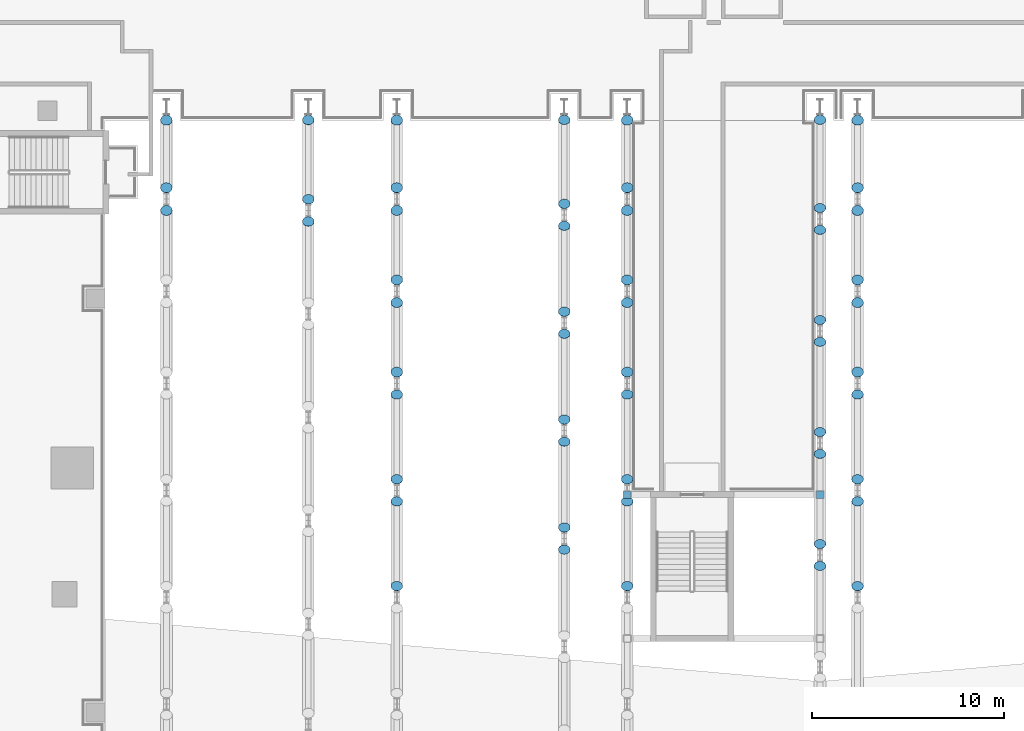
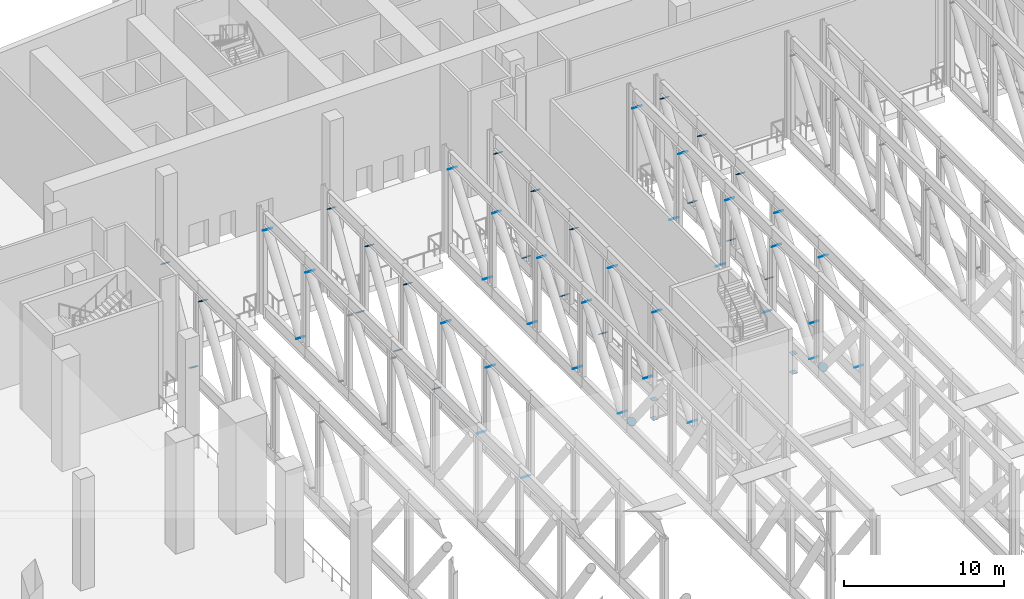
# One storey, part 18 of 33: 58 discrete accessories.
"""IFC4 building model written with IfcOpenShell, lengths in metres."""

from ifc_helpers import new_model, si_unit, direction, frame, origin, origin_2d, place, context, subcontext, project, spatial, rectangle, circle, extrude, material, material_profile, profile_set, type_object, element, save


model = new_model("IFC4")

# Units and contexts
model_context = context("Model", 3, precision=1e-05, world=origin(), true_north=direction((0.0, 1.0)))
body_context = subcontext(model_context, "Body", "Model", "MODEL_VIEW")
ifc_project = project(units=[si_unit("LENGTHUNIT", "METRE"), si_unit("AREAUNIT", "SQUARE_METRE"), si_unit("VOLUMEUNIT", "CUBIC_METRE"), si_unit("PLANEANGLEUNIT", "RADIAN"), si_unit("MASSUNIT", "GRAM", prefix="KILO")], contexts=[model_context])

# Site, building, storey
site_placement = place(None, origin())
site = spatial("IfcSite", under=ifc_project, at=site_placement, CompositionType="ELEMENT")
building_placement = place(site_placement, origin())
building = spatial("IfcBuilding", under=site, at=building_placement, Name="Wharfspan Tower", CompositionType="ELEMENT")
storey_placement = place(building_placement, frame((0.0, 0.0, 33.0)))
storey = spatial("IfcBuildingStorey", under=building, at=storey_placement, Name="L05", CompositionType="ELEMENT", Elevation=33.0)

# Discrete accessories
ifc_material = material(Name="Steel S460NH", Category="steel")
ifc_material_profile_1 = material_profile(ifc_material, circle(Radius=0.304932, at=origin_2d()))
ifc_profile_set_1 = profile_set([ifc_material_profile_1], Name="Steel S460NH")
discrete_accessory_type_1 = type_object("IfcDiscreteAccessoryType", Name="End plate CHS 610x30", PredefinedType="BRACKET", material=ifc_profile_set_1)
for number, where, z_axis, x_axis, name in (
    (1, (12.0, 20.512695, 6.944336), (0.0, -0.514496, -0.857493), (1.0, 0.0, 0.0), "End plate CHS 610x30"),
    (2, (12.0, 25.213867, 6.94751), (0.0, -0.532172, -0.846637), (1.0, 0.0, 0.0), "End plate CHS 610x30"),
    (3, (12.0, 21.694336, 1.160889), (0.0, -0.514496, -0.857493), (1.0, 0.0, 0.0), "End plate CHS 610x30"),
    (4, (19.391113, 19.937744, 6.925781), (0.0, -0.588172, -0.808736), (1.0, 0.0, 0.0), "End plate CHS 610x30"),
):
    element("IfcDiscreteAccessory", number, at=place(storey_placement, frame(where, z_axis=z_axis, x_axis=x_axis)), inside=storey, type_object=discrete_accessory_type_1, Name=name, PredefinedType="BRACKET", context=body_context, shape_type="SweptSolid", body=[
        extrude(circle(Radius=0.304932, at=origin_2d()), origin(), (0.0, 0.0, 1.0), 0.01001),
    ])
discrete_accessory_1_placement = place(storey_placement, frame((19.391113, 25.22583, 6.928711), z_axis=(0.0, -0.576683, -0.816968), x_axis=(1.0, 0.0, 0.0)))
element("IfcDiscreteAccessory", 5, at=discrete_accessory_1_placement, inside=storey, type_object=discrete_accessory_type_1, Name="End plate CHS 610x30", PredefinedType="BRACKET", context=body_context, shape_type="SweptSolid", body=[
    extrude(circle(Radius=0.304932, at=origin_2d()), origin(), (0.0, 0.0, 1.0), 0.010254),
])
for number, where, z_axis, x_axis, name in (
    (6, (19.391113, 21.096191, 1.179443), (0.0, -0.588172, -0.808736), (1.0, 0.0, 0.0), "End plate CHS 610x30"),
    (7, (24.0, 5.361328, 6.92041), (0.0, -0.615644, -0.788024), (1.0, 0.0, 0.0), "End plate CHS 610x30"),
    (8, (24.0, 0.944824, 1.1875), (0.0, -0.603858, -0.797092), (1.0, 0.0, 0.0), "End plate CHS 610x30"),
    (9, (24.0, 10.928223, 6.92041), (0.0, -0.615644, -0.788024), (1.0, 0.0, 0.0), "End plate CHS 610x30"),
    (10, (24.0, 6.510742, 1.1875), (0.0, -0.603858, -0.797092), (1.0, 0.0, 0.0), "End plate CHS 610x30"),
    (11, (24.0, 15.712891, 6.944336), (0.0, -0.532172, -0.846637), (1.0, 0.0, 0.0), "End plate CHS 610x30"),
    (12, (24.0, 12.092529, 1.164307), (0.0, -0.532172, -0.846637), (1.0, 0.0, 0.0), "End plate CHS 610x30"),
    (13, (24.0, 20.512695, 6.944336), (0.0, -0.514496, -0.857493), (1.0, 0.0, 0.0), "End plate CHS 610x30"),
    (14, (24.0, 16.892578, 1.164307), (0.0, -0.532172, -0.846637), (1.0, 0.0, 0.0), "End plate CHS 610x30"),
    (15, (24.0, 25.213867, 6.94751), (0.0, -0.532172, -0.846637), (1.0, 0.0, 0.0), "End plate CHS 610x30"),
    (16, (24.0, 21.694336, 1.160889), (0.0, -0.514496, -0.857493), (1.0, 0.0, 0.0), "End plate CHS 610x30"),
    (17, (32.724121, 2.843262, 1.188965), (0.0, 0.603858, -0.797092), (-1.0, 0.0, 0.0), "End plate CHS 610x30"),
    (18, (32.724121, 8.469482, 6.918945), (0.0, -0.630593, -0.776114), (1.0, 0.0, 0.0), "End plate CHS 610x30"),
    (19, (32.724121, 3.996826, 1.188965), (0.0, -0.603858, -0.797092), (1.0, 0.0, 0.0), "End plate CHS 610x30"),
    (20, (32.724121, 14.089355, 6.918945), (0.0, -0.615644, -0.788024), (1.0, 0.0, 0.0), "End plate CHS 610x30"),
    (21, (32.724121, 9.616699, 1.188965), (0.0, -0.603858, -0.797092), (1.0, 0.0, 0.0), "End plate CHS 610x30"),
    (22, (32.724121, 19.709473, 6.918945), (0.0, -0.630593, -0.776114), (1.0, 0.0, 0.0), "End plate CHS 610x30"),
    (23, (32.724121, 15.236816, 1.188965), (0.0, -0.603858, -0.797092), (1.0, 0.0, 0.0), "End plate CHS 610x30"),
    (24, (32.724121, 25.230469, 6.921631), (0.0, -0.615644, -0.788024), (1.0, 0.0, 0.0), "End plate CHS 610x30"),
    (25, (32.724121, 20.858643, 1.186279), (0.0, -0.603858, -0.797092), (1.0, 0.0, 0.0), "End plate CHS 610x30"),
    (26, (36.0, 5.361328, 6.92041), (0.0, -0.615644, -0.788024), (1.0, 0.0, 0.0), "End plate CHS 610x30"),
    (27, (36.0, 0.944824, 1.1875), (0.0, -0.603858, -0.797092), (1.0, 0.0, 0.0), "End plate CHS 610x30"),
    (28, (36.0, 10.928223, 6.92041), (0.0, -0.615644, -0.788024), (1.0, 0.0, 0.0), "End plate CHS 610x30"),
    (29, (36.0, 6.510742, 1.1875), (0.0, -0.603858, -0.797092), (1.0, 0.0, 0.0), "End plate CHS 610x30"),
    (30, (36.0, 15.712891, 6.944336), (0.0, -0.532172, -0.846637), (1.0, 0.0, 0.0), "End plate CHS 610x30"),
    (31, (36.0, 12.092529, 1.164307), (0.0, -0.532172, -0.846637), (1.0, 0.0, 0.0), "End plate CHS 610x30"),
    (32, (36.0, 20.512695, 6.944336), (0.0, -0.514496, -0.857493), (1.0, 0.0, 0.0), "End plate CHS 610x30"),
    (33, (36.0, 16.892578, 1.164307), (0.0, -0.532172, -0.846637), (1.0, 0.0, 0.0), "End plate CHS 610x30"),
    (34, (36.0, 25.213867, 6.94751), (0.0, -0.532172, -0.846637), (1.0, 0.0, 0.0), "End plate CHS 610x30"),
    (35, (36.0, 21.694336, 1.160889), (0.0, -0.514496, -0.857493), (1.0, 0.0, 0.0), "End plate CHS 610x30"),
    (36, (46.041992, 1.993164, 1.19458), (0.0, 0.630593, -0.776114), (-1.0, 0.0, 0.0), "End plate CHS 610x30"),
):
    element("IfcDiscreteAccessory", number, at=place(storey_placement, frame(where, z_axis=z_axis, x_axis=x_axis)), inside=storey, type_object=discrete_accessory_type_1, Name=name, PredefinedType="BRACKET", context=body_context, shape_type="SweptSolid", body=[
        extrude(circle(Radius=0.304932, at=origin_2d()), origin(), (0.0, 0.0, 1.0), 0.01001),
    ])
discrete_accessory_2_placement = place(storey_placement, frame((46.041992, 7.83252, 6.913086), z_axis=(0.0, -0.642612, -0.766192), x_axis=(1.0, 0.0, 0.0)))
element("IfcDiscreteAccessory", 37, at=discrete_accessory_2_placement, inside=storey, type_object=discrete_accessory_type_1, Name="End plate CHS 610x30", PredefinedType="BRACKET", context=body_context, shape_type="SweptSolid", body=[
    extrude(circle(Radius=0.304932, at=origin_2d()), origin(), (0.0, 0.0, 1.0), 0.009766),
])
discrete_accessory_3_placement = place(storey_placement, frame((46.041992, 3.138672, 1.19458), z_axis=(0.0, -0.630593, -0.776114), x_axis=(1.0, 0.0, 0.0)))
element("IfcDiscreteAccessory", 38, at=discrete_accessory_3_placement, inside=storey, type_object=discrete_accessory_type_1, Name="End plate CHS 610x30", PredefinedType="BRACKET", context=body_context, shape_type="SweptSolid", body=[
    extrude(circle(Radius=0.304932, at=origin_2d()), origin(), (0.0, 0.0, 1.0), 0.01001),
])
discrete_accessory_4_placement = place(storey_placement, frame((46.041992, 13.666748, 6.913086), z_axis=(0.0, -0.642612, -0.766192), x_axis=(1.0, 0.0, 0.0)))
element("IfcDiscreteAccessory", 39, at=discrete_accessory_4_placement, inside=storey, type_object=discrete_accessory_type_1, Name="End plate CHS 610x30", PredefinedType="BRACKET", context=body_context, shape_type="SweptSolid", body=[
    extrude(circle(Radius=0.304932, at=origin_2d()), origin(), (0.0, 0.0, 1.0), 0.009766),
])
discrete_accessory_5_placement = place(storey_placement, frame((46.041992, 8.97168, 1.19458), z_axis=(0.0, -0.630593, -0.776114), x_axis=(1.0, 0.0, 0.0)))
element("IfcDiscreteAccessory", 40, at=discrete_accessory_5_placement, inside=storey, type_object=discrete_accessory_type_1, Name="End plate CHS 610x30", PredefinedType="BRACKET", context=body_context, shape_type="SweptSolid", body=[
    extrude(circle(Radius=0.304932, at=origin_2d()), origin(), (0.0, 0.0, 1.0), 0.01001),
])
discrete_accessory_6_placement = place(storey_placement, frame((46.041992, 19.499512, 6.913086), z_axis=(0.0, -0.642612, -0.766192), x_axis=(1.0, 0.0, 0.0)))
element("IfcDiscreteAccessory", 41, at=discrete_accessory_6_placement, inside=storey, type_object=discrete_accessory_type_1, Name="End plate CHS 610x30", PredefinedType="BRACKET", context=body_context, shape_type="SweptSolid", body=[
    extrude(circle(Radius=0.304932, at=origin_2d()), origin(), (0.0, 0.0, 1.0), 0.009766),
])
for number, where, z_axis, x_axis, name in (
    (42, (46.041992, 14.805664, 1.19458), (0.0, -0.630593, -0.776114), (1.0, 0.0, 0.0), "End plate CHS 610x30"),
    (43, (46.041992, 25.234619, 6.915771), (0.0, -0.615644, -0.788024), (1.0, 0.0, 0.0), "End plate CHS 610x30"),
    (44, (46.041992, 20.640625, 1.192139), (0.0, -0.630593, -0.776114), (1.0, 0.0, 0.0), "End plate CHS 610x30"),
    (45, (48.0, 5.361328, 6.92041), (0.0, -0.615644, -0.788024), (1.0, 0.0, 0.0), "End plate CHS 610x30"),
    (46, (48.0, 0.944824, 1.1875), (0.0, -0.603858, -0.797092), (1.0, 0.0, 0.0), "End plate CHS 610x30"),
    (47, (48.0, 10.928223, 6.92041), (0.0, -0.615644, -0.788024), (1.0, 0.0, 0.0), "End plate CHS 610x30"),
    (48, (48.0, 6.510742, 1.1875), (0.0, -0.603858, -0.797092), (1.0, 0.0, 0.0), "End plate CHS 610x30"),
    (49, (48.0, 15.712891, 6.944336), (0.0, -0.532172, -0.846637), (1.0, 0.0, 0.0), "End plate CHS 610x30"),
    (50, (48.0, 12.092529, 1.164307), (0.0, -0.532172, -0.846637), (1.0, 0.0, 0.0), "End plate CHS 610x30"),
    (51, (48.0, 20.512695, 6.944336), (0.0, -0.514496, -0.857493), (1.0, 0.0, 0.0), "End plate CHS 610x30"),
    (52, (48.0, 16.892578, 1.164307), (0.0, -0.532172, -0.846637), (1.0, 0.0, 0.0), "End plate CHS 610x30"),
    (53, (48.0, 25.213867, 6.94751), (0.0, -0.532172, -0.846637), (1.0, 0.0, 0.0), "End plate CHS 610x30"),
    (54, (48.0, 21.694336, 1.160889), (0.0, -0.514496, -0.857493), (1.0, 0.0, 0.0), "End plate CHS 610x30"),
):
    element("IfcDiscreteAccessory", number, at=place(storey_placement, frame(where, z_axis=z_axis, x_axis=x_axis)), inside=storey, type_object=discrete_accessory_type_1, Name=name, PredefinedType="BRACKET", context=body_context, shape_type="SweptSolid", body=[
        extrude(circle(Radius=0.304932, at=origin_2d()), origin(), (0.0, 0.0, 1.0), 0.01001),
    ])
ifc_material_profile_2 = material_profile(ifc_material, rectangle(XDim=0.399902, YDim=0.399902, at=origin_2d()))
ifc_profile_set_2 = profile_set([ifc_material_profile_2], Name="Steel S460NH")
discrete_accessory_type_2 = type_object("IfcDiscreteAccessoryType", Name="End plate SHS 400x400x20", PredefinedType="BRACKET", material=ifc_profile_set_2)
for number, where, z_axis, x_axis, name in (
    (55, (36.0, 5.710693, -1.468018), (0.0, 0.0, 1.0), (1.0, 0.0, 0.0), "End plate SHS 400x400x20"),
    (56, (36.0, 5.710693, 0.0), (0.0, 0.0, 1.0), (1.0, 0.0, 0.0), "End plate SHS 400x400x20"),
    (57, (46.041992, 5.710693, -1.468018), (0.0, 0.0, 1.0), (1.0, 0.0, 0.0), "End plate SHS 400x400x20"),
    (58, (46.041992, 5.710693, 0.0), (0.0, 0.0, 1.0), (1.0, 0.0, 0.0), "End plate SHS 400x400x20"),
):
    element("IfcDiscreteAccessory", number, at=place(storey_placement, frame(where, z_axis=z_axis, x_axis=x_axis)), inside=storey, type_object=discrete_accessory_type_2, Name=name, PredefinedType="BRACKET", context=body_context, shape_type="SweptSolid", body=[
        extrude(rectangle(XDim=0.399902, YDim=0.399902, at=origin_2d()), origin(), (0.0, 0.0, 1.0), 0.01001),
    ])

save(model, "model.ifc")
